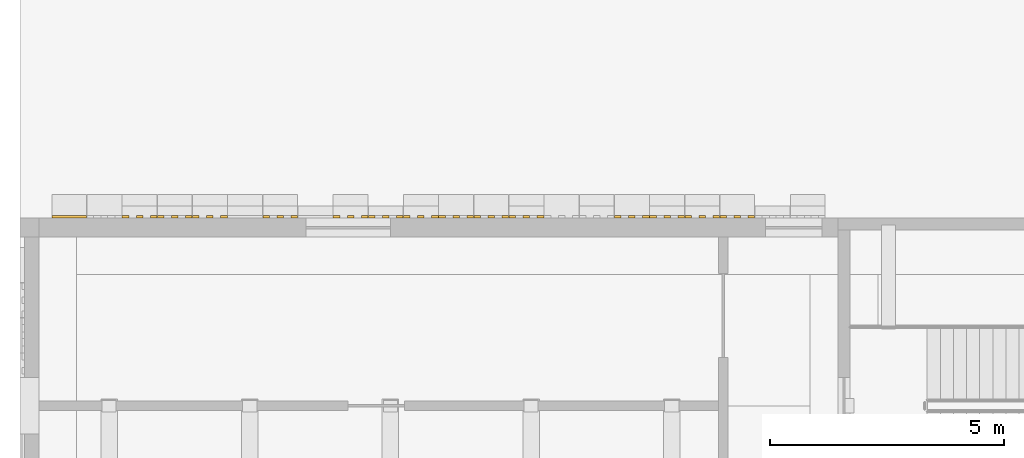
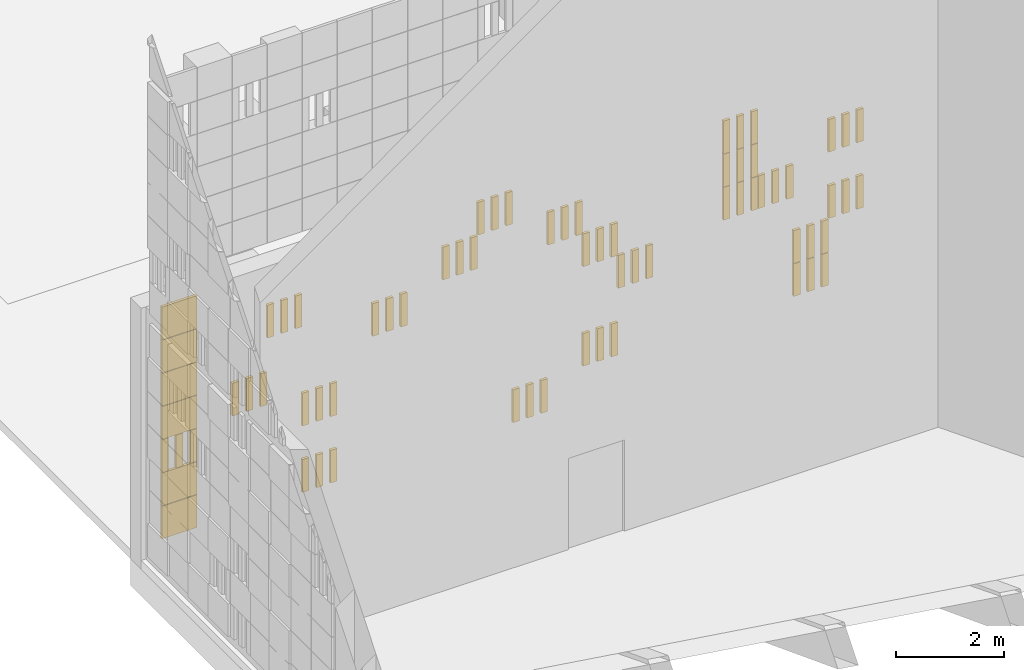
# One storey, part 112 of 125: 1 covering.
"""IFC4 building model written with IfcOpenShell, lengths in metres."""

from ifc_helpers import new_model, si_unit, direction, frame, origin, origin_2d, place, context, subcontext, project, spatial, rectangle, extrude, material, layer, layer_set, type_object, element, save


model = new_model("IFC4")

# Units and contexts
model_context = context("Model", 3, precision=1e-05, world=origin(), true_north=direction((0.0, 1.0)))
body_context = subcontext(model_context, "Body", "Model", "MODEL_VIEW")
ifc_project = project(units=[si_unit("LENGTHUNIT", "METRE"), si_unit("AREAUNIT", "SQUARE_METRE"), si_unit("VOLUMEUNIT", "CUBIC_METRE"), si_unit("PLANEANGLEUNIT", "RADIAN"), si_unit("MASSUNIT", "GRAM", prefix="KILO")], contexts=[model_context])

# Site, building, storey
site_placement = place(None, origin())
site = spatial("IfcSite", under=ifc_project, at=site_placement, CompositionType="ELEMENT")
building_placement = place(site_placement, origin())
building = spatial("IfcBuilding", under=site, at=building_placement, Name="Sun Court Science Centre", CompositionType="ELEMENT")
storey_placement = place(building_placement, origin())
storey = spatial("IfcBuildingStorey", under=building, at=storey_placement, Name="L00", CompositionType="ELEMENT", Elevation=0.0)

# Covering
ifc_material = material(Name="Red sandstone", Category="masonry")
ifc_layer = layer(ifc_material, 0.06005859375)
ifc_layer_set = layer_set([ifc_layer], Name="Red sandstone")
covering_type = type_object("IfcCoveringType", Name="Red sandstone jali relief 750", PredefinedType="CLADDING", material=ifc_layer_set)
covering_placement = place(storey_placement, origin())
element("IfcCovering", 1, at=covering_placement, inside=storey, type_object=covering_type, Name="Red sandstone jali relief theatre-STAGE-north face-L00 L00", PredefinedType="CLADDING", context=body_context, shape_type="SweptSolid", body=[
    extrude(rectangle(XDim=0.139892578125, YDim=0.06005859375, at=origin_2d()), frame((3.75, 72.030029296875, 0.0048828125), z_axis=(0.0, 0.0, 1.0), x_axis=(1.0, 0.0, 0.0)), (0.0, 0.0, 1.0), 0.739990234375),
    extrude(rectangle(XDim=0.139892578125, YDim=0.06005859375, at=origin_2d()), frame((4.050048828125, 72.030029296875, 0.0048828125), z_axis=(0.0, 0.0, 1.0), x_axis=(1.0, 0.0, 0.0)), (0.0, 0.0, 1.0), 0.739990234375),
    extrude(rectangle(XDim=0.139892578125, YDim=0.06005859375, at=origin_2d()), frame((4.35009765625, 72.030029296875, 0.0048828125), z_axis=(0.0, 0.0, 1.0), x_axis=(1.0, 0.0, 0.0)), (0.0, 0.0, 1.0), 0.739990234375),
    extrude(rectangle(XDim=0.139892578125, YDim=0.06005859375, at=origin_2d()), frame((8.25, 72.030029296875, 0.0048828125), z_axis=(0.0, 0.0, 1.0), x_axis=(1.0, 0.0, 0.0)), (0.0, 0.0, 1.0), 0.739990234375),
    extrude(rectangle(XDim=0.139892578125, YDim=0.06005859375, at=origin_2d()), frame((8.550048828125, 72.030029296875, 0.0048828125), z_axis=(0.0, 0.0, 1.0), x_axis=(1.0, 0.0, 0.0)), (0.0, 0.0, 1.0), 0.739990234375),
    extrude(rectangle(XDim=0.139892578125, YDim=0.06005859375, at=origin_2d()), frame((8.85009765625, 72.030029296875, 0.0048828125), z_axis=(0.0, 0.0, 1.0), x_axis=(1.0, 0.0, 0.0)), (0.0, 0.0, 1.0), 0.739990234375),
    extrude(rectangle(XDim=0.139892578125, YDim=0.06005859375, at=origin_2d()), frame((9.75, 72.030029296875, 0.7548828125), z_axis=(0.0, 0.0, 1.0), x_axis=(1.0, 0.0, 0.0)), (0.0, 0.0, 1.0), 0.739990234375),
    extrude(rectangle(XDim=0.139892578125, YDim=0.06005859375, at=origin_2d()), frame((10.050048828125, 72.030029296875, 0.7548828125), z_axis=(0.0, 0.0, 1.0), x_axis=(1.0, 0.0, 0.0)), (0.0, 0.0, 1.0), 0.739990234375),
    extrude(rectangle(XDim=0.139892578125, YDim=0.06005859375, at=origin_2d()), frame((10.35009765625, 72.030029296875, 0.7548828125), z_axis=(0.0, 0.0, 1.0), x_axis=(1.0, 0.0, 0.0)), (0.0, 0.0, 1.0), 0.739990234375),
    extrude(rectangle(XDim=0.139892578125, YDim=0.06005859375, at=origin_2d()), frame((14.25, 72.030029296875, 0.7548828125), z_axis=(0.0, 0.0, 1.0), x_axis=(1.0, 0.0, 0.0)), (0.0, 0.0, 1.0), 0.739990234375),
    extrude(rectangle(XDim=0.139892578125, YDim=0.06005859375, at=origin_2d()), frame((14.550048828125, 72.030029296875, 0.7548828125), z_axis=(0.0, 0.0, 1.0), x_axis=(1.0, 0.0, 0.0)), (0.0, 0.0, 1.0), 0.739990234375),
    extrude(rectangle(XDim=0.139892578125, YDim=0.06005859375, at=origin_2d()), frame((14.85009765625, 72.030029296875, 0.7548828125), z_axis=(0.0, 0.0, 1.0), x_axis=(1.0, 0.0, 0.0)), (0.0, 0.0, 1.0), 0.739990234375),
    extrude(rectangle(XDim=0.139892578125, YDim=0.06005859375, at=origin_2d()), frame((0.75, 72.030029296875, 1.5048828125), z_axis=(0.0, 0.0, 1.0), x_axis=(1.0, 0.0, 0.0)), (0.0, 0.0, 1.0), 0.739990234375),
    extrude(rectangle(XDim=0.139892578125, YDim=0.06005859375, at=origin_2d()), frame((1.050048828125, 72.030029296875, 1.5048828125), z_axis=(0.0, 0.0, 1.0), x_axis=(1.0, 0.0, 0.0)), (0.0, 0.0, 1.0), 0.739990234375),
    extrude(rectangle(XDim=0.139892578125, YDim=0.06005859375, at=origin_2d()), frame((1.35009765625, 72.030029296875, 1.5048828125), z_axis=(0.0, 0.0, 1.0), x_axis=(1.0, 0.0, 0.0)), (0.0, 0.0, 1.0), 0.739990234375),
    extrude(rectangle(XDim=0.139892578125, YDim=0.06005859375, at=origin_2d()), frame((3.75, 72.030029296875, 1.5048828125), z_axis=(0.0, 0.0, 1.0), x_axis=(1.0, 0.0, 0.0)), (0.0, 0.0, 1.0), 0.739990234375),
    extrude(rectangle(XDim=0.139892578125, YDim=0.06005859375, at=origin_2d()), frame((4.050048828125, 72.030029296875, 1.5048828125), z_axis=(0.0, 0.0, 1.0), x_axis=(1.0, 0.0, 0.0)), (0.0, 0.0, 1.0), 0.739990234375),
    extrude(rectangle(XDim=0.139892578125, YDim=0.06005859375, at=origin_2d()), frame((4.35009765625, 72.030029296875, 1.5048828125), z_axis=(0.0, 0.0, 1.0), x_axis=(1.0, 0.0, 0.0)), (0.0, 0.0, 1.0), 0.739990234375),
    extrude(rectangle(XDim=0.139892578125, YDim=0.06005859375, at=origin_2d()), frame((14.25, 72.030029296875, 1.5048828125), z_axis=(0.0, 0.0, 1.0), x_axis=(1.0, 0.0, 0.0)), (0.0, 0.0, 1.0), 0.739990234375),
    extrude(rectangle(XDim=0.139892578125, YDim=0.06005859375, at=origin_2d()), frame((14.550048828125, 72.030029296875, 1.5048828125), z_axis=(0.0, 0.0, 1.0), x_axis=(1.0, 0.0, 0.0)), (0.0, 0.0, 1.0), 0.739990234375),
    extrude(rectangle(XDim=0.139892578125, YDim=0.06005859375, at=origin_2d()), frame((14.85009765625, 72.030029296875, 1.5048828125), z_axis=(0.0, 0.0, 1.0), x_axis=(1.0, 0.0, 0.0)), (0.0, 0.0, 1.0), 0.739990234375),
    extrude(rectangle(XDim=0.139892578125, YDim=0.06005859375, at=origin_2d()), frame((2.25, 72.030029296875, 2.2548828125), z_axis=(0.0, 0.0, 1.0), x_axis=(1.0, 0.0, 0.0)), (0.0, 0.0, 1.0), 0.739990234375),
    extrude(rectangle(XDim=0.139892578125, YDim=0.06005859375, at=origin_2d()), frame((2.550048828125, 72.030029296875, 2.2548828125), z_axis=(0.0, 0.0, 1.0), x_axis=(1.0, 0.0, 0.0)), (0.0, 0.0, 1.0), 0.739990234375),
    extrude(rectangle(XDim=0.139892578125, YDim=0.06005859375, at=origin_2d()), frame((2.85009765625, 72.030029296875, 2.2548828125), z_axis=(0.0, 0.0, 1.0), x_axis=(1.0, 0.0, 0.0)), (0.0, 0.0, 1.0), 0.739990234375),
    extrude(rectangle(XDim=0.139892578125, YDim=0.06005859375, at=origin_2d()), frame((10.5, 72.030029296875, 2.2548828125), z_axis=(0.0, 0.0, 1.0), x_axis=(1.0, 0.0, 0.0)), (0.0, 0.0, 1.0), 0.739990234375),
    extrude(rectangle(XDim=0.139892578125, YDim=0.06005859375, at=origin_2d()), frame((10.800048828125, 72.030029296875, 2.2548828125), z_axis=(0.0, 0.0, 1.0), x_axis=(1.0, 0.0, 0.0)), (0.0, 0.0, 1.0), 0.739990234375),
    extrude(rectangle(XDim=0.139892578125, YDim=0.06005859375, at=origin_2d()), frame((11.10009765625, 72.030029296875, 2.2548828125), z_axis=(0.0, 0.0, 1.0), x_axis=(1.0, 0.0, 0.0)), (0.0, 0.0, 1.0), 0.739990234375),
    extrude(rectangle(XDim=0.139892578125, YDim=0.06005859375, at=origin_2d()), frame((15.0, 72.030029296875, 2.2548828125), z_axis=(0.0, 0.0, 1.0), x_axis=(1.0, 0.0, 0.0)), (0.0, 0.0, 1.0), 0.739990234375),
    extrude(rectangle(XDim=0.139892578125, YDim=0.06005859375, at=origin_2d()), frame((15.300048828125, 72.030029296875, 2.2548828125), z_axis=(0.0, 0.0, 1.0), x_axis=(1.0, 0.0, 0.0)), (0.0, 0.0, 1.0), 0.739990234375),
    extrude(rectangle(XDim=0.139892578125, YDim=0.06005859375, at=origin_2d()), frame((15.60009765625, 72.030029296875, 2.2548828125), z_axis=(0.0, 0.0, 1.0), x_axis=(1.0, 0.0, 0.0)), (0.0, 0.0, 1.0), 0.739990234375),
    extrude(rectangle(XDim=0.139892578125, YDim=0.06005859375, at=origin_2d()), frame((5.25, 72.030029296875, 3.0048828125), z_axis=(0.0, 0.0, 1.0), x_axis=(1.0, 0.0, 0.0)), (0.0, 0.0, 1.0), 0.739990234375),
    extrude(rectangle(XDim=0.139892578125, YDim=0.06005859375, at=origin_2d()), frame((5.550048828125, 72.030029296875, 3.0048828125), z_axis=(0.0, 0.0, 1.0), x_axis=(1.0, 0.0, 0.0)), (0.0, 0.0, 1.0), 0.739990234375),
    extrude(rectangle(XDim=0.139892578125, YDim=0.06005859375, at=origin_2d()), frame((5.85009765625, 72.030029296875, 3.0048828125), z_axis=(0.0, 0.0, 1.0), x_axis=(1.0, 0.0, 0.0)), (0.0, 0.0, 1.0), 0.739990234375),
    extrude(rectangle(XDim=0.139892578125, YDim=0.06005859375, at=origin_2d()), frame((9.75, 72.030029296875, 3.0048828125), z_axis=(0.0, 0.0, 1.0), x_axis=(1.0, 0.0, 0.0)), (0.0, 0.0, 1.0), 0.739990234375),
    extrude(rectangle(XDim=0.139892578125, YDim=0.06005859375, at=origin_2d()), frame((10.050048828125, 72.030029296875, 3.0048828125), z_axis=(0.0, 0.0, 1.0), x_axis=(1.0, 0.0, 0.0)), (0.0, 0.0, 1.0), 0.739990234375),
    extrude(rectangle(XDim=0.139892578125, YDim=0.06005859375, at=origin_2d()), frame((10.35009765625, 72.030029296875, 3.0048828125), z_axis=(0.0, 0.0, 1.0), x_axis=(1.0, 0.0, 0.0)), (0.0, 0.0, 1.0), 0.739990234375),
    extrude(rectangle(XDim=0.139892578125, YDim=0.06005859375, at=origin_2d()), frame((12.75, 72.030029296875, 3.0048828125), z_axis=(0.0, 0.0, 1.0), x_axis=(1.0, 0.0, 0.0)), (0.0, 0.0, 1.0), 0.739990234375),
    extrude(rectangle(XDim=0.139892578125, YDim=0.06005859375, at=origin_2d()), frame((13.050048828125, 72.030029296875, 3.0048828125), z_axis=(0.0, 0.0, 1.0), x_axis=(1.0, 0.0, 0.0)), (0.0, 0.0, 1.0), 0.739990234375),
    extrude(rectangle(XDim=0.139892578125, YDim=0.06005859375, at=origin_2d()), frame((13.35009765625, 72.030029296875, 3.0048828125), z_axis=(0.0, 0.0, 1.0), x_axis=(1.0, 0.0, 0.0)), (0.0, 0.0, 1.0), 0.739990234375),
    extrude(rectangle(XDim=0.139892578125, YDim=0.06005859375, at=origin_2d()), frame((13.5, 72.030029296875, 3.0048828125), z_axis=(0.0, 0.0, 1.0), x_axis=(1.0, 0.0, 0.0)), (0.0, 0.0, 1.0), 0.739990234375),
    extrude(rectangle(XDim=0.139892578125, YDim=0.06005859375, at=origin_2d()), frame((13.800048828125, 72.030029296875, 3.0048828125), z_axis=(0.0, 0.0, 1.0), x_axis=(1.0, 0.0, 0.0)), (0.0, 0.0, 1.0), 0.739990234375),
    extrude(rectangle(XDim=0.139892578125, YDim=0.06005859375, at=origin_2d()), frame((14.10009765625, 72.030029296875, 3.0048828125), z_axis=(0.0, 0.0, 1.0), x_axis=(1.0, 0.0, 0.0)), (0.0, 0.0, 1.0), 0.739990234375),
    extrude(rectangle(XDim=0.139892578125, YDim=0.06005859375, at=origin_2d()), frame((3.0, 72.030029296875, 3.7548828125), z_axis=(0.0, 0.0, 1.0), x_axis=(1.0, 0.0, 0.0)), (0.0, 0.0, 1.0), 0.739990234375),
    extrude(rectangle(XDim=0.139892578125, YDim=0.06005859375, at=origin_2d()), frame((3.300048828125, 72.030029296875, 3.7548828125), z_axis=(0.0, 0.0, 1.0), x_axis=(1.0, 0.0, 0.0)), (0.0, 0.0, 1.0), 0.739990234375),
    extrude(rectangle(XDim=0.139892578125, YDim=0.06005859375, at=origin_2d()), frame((3.60009765625, 72.030029296875, 3.7548828125), z_axis=(0.0, 0.0, 1.0), x_axis=(1.0, 0.0, 0.0)), (0.0, 0.0, 1.0), 0.739990234375),
    extrude(rectangle(XDim=0.139892578125, YDim=0.06005859375, at=origin_2d()), frame((6.75, 72.030029296875, 3.7548828125), z_axis=(0.0, 0.0, 1.0), x_axis=(1.0, 0.0, 0.0)), (0.0, 0.0, 1.0), 0.739990234375),
    extrude(rectangle(XDim=0.139892578125, YDim=0.06005859375, at=origin_2d()), frame((7.050048828125, 72.030029296875, 3.7548828125), z_axis=(0.0, 0.0, 1.0), x_axis=(1.0, 0.0, 0.0)), (0.0, 0.0, 1.0), 0.739990234375),
    extrude(rectangle(XDim=0.139892578125, YDim=0.06005859375, at=origin_2d()), frame((7.35009765625, 72.030029296875, 3.7548828125), z_axis=(0.0, 0.0, 1.0), x_axis=(1.0, 0.0, 0.0)), (0.0, 0.0, 1.0), 0.739990234375),
    extrude(rectangle(XDim=0.139892578125, YDim=0.06005859375, at=origin_2d()), frame((9.0, 72.030029296875, 3.7548828125), z_axis=(0.0, 0.0, 1.0), x_axis=(1.0, 0.0, 0.0)), (0.0, 0.0, 1.0), 0.739990234375),
    extrude(rectangle(XDim=0.139892578125, YDim=0.06005859375, at=origin_2d()), frame((9.300048828125, 72.030029296875, 3.7548828125), z_axis=(0.0, 0.0, 1.0), x_axis=(1.0, 0.0, 0.0)), (0.0, 0.0, 1.0), 0.739990234375),
    extrude(rectangle(XDim=0.139892578125, YDim=0.06005859375, at=origin_2d()), frame((9.60009765625, 72.030029296875, 3.7548828125), z_axis=(0.0, 0.0, 1.0), x_axis=(1.0, 0.0, 0.0)), (0.0, 0.0, 1.0), 0.739990234375),
    extrude(rectangle(XDim=0.139892578125, YDim=0.06005859375, at=origin_2d()), frame((12.75, 72.030029296875, 3.7548828125), z_axis=(0.0, 0.0, 1.0), x_axis=(1.0, 0.0, 0.0)), (0.0, 0.0, 1.0), 0.739990234375),
    extrude(rectangle(XDim=0.139892578125, YDim=0.06005859375, at=origin_2d()), frame((13.050048828125, 72.030029296875, 3.7548828125), z_axis=(0.0, 0.0, 1.0), x_axis=(1.0, 0.0, 0.0)), (0.0, 0.0, 1.0), 0.739990234375),
    extrude(rectangle(XDim=0.139892578125, YDim=0.06005859375, at=origin_2d()), frame((13.35009765625, 72.030029296875, 3.7548828125), z_axis=(0.0, 0.0, 1.0), x_axis=(1.0, 0.0, 0.0)), (0.0, 0.0, 1.0), 0.739990234375),
    extrude(rectangle(XDim=0.139892578125, YDim=0.06005859375, at=origin_2d()), frame((15.0, 72.030029296875, 3.7548828125), z_axis=(0.0, 0.0, 1.0), x_axis=(1.0, 0.0, 0.0)), (0.0, 0.0, 1.0), 0.739990234375),
    extrude(rectangle(XDim=0.139892578125, YDim=0.06005859375, at=origin_2d()), frame((15.300048828125, 72.030029296875, 3.7548828125), z_axis=(0.0, 0.0, 1.0), x_axis=(1.0, 0.0, 0.0)), (0.0, 0.0, 1.0), 0.739990234375),
    extrude(rectangle(XDim=0.139892578125, YDim=0.06005859375, at=origin_2d()), frame((15.60009765625, 72.030029296875, 3.7548828125), z_axis=(0.0, 0.0, 1.0), x_axis=(1.0, 0.0, 0.0)), (0.0, 0.0, 1.0), 0.739990234375),
    extrude(rectangle(XDim=0.139892578125, YDim=0.06005859375, at=origin_2d()), frame((7.5, 72.030029296875, 4.5048828125), z_axis=(0.0, 0.0, 1.0), x_axis=(1.0, 0.0, 0.0)), (0.0, 0.0, 1.0), 0.739990234375),
    extrude(rectangle(XDim=0.139892578125, YDim=0.06005859375, at=origin_2d()), frame((7.800048828125, 72.030029296875, 4.5048828125), z_axis=(0.0, 0.0, 1.0), x_axis=(1.0, 0.0, 0.0)), (0.0, 0.0, 1.0), 0.739990234375),
    extrude(rectangle(XDim=0.139892578125, YDim=0.06005859375, at=origin_2d()), frame((8.10009765625, 72.030029296875, 4.5048828125), z_axis=(0.0, 0.0, 1.0), x_axis=(1.0, 0.0, 0.0)), (0.0, 0.0, 1.0), 0.739990234375),
    extrude(rectangle(XDim=0.139892578125, YDim=0.06005859375, at=origin_2d()), frame((12.75, 72.030029296875, 4.5048828125), z_axis=(0.0, 0.0, 1.0), x_axis=(1.0, 0.0, 0.0)), (0.0, 0.0, 1.0), 0.739990234375),
    extrude(rectangle(XDim=0.139892578125, YDim=0.06005859375, at=origin_2d()), frame((13.050048828125, 72.030029296875, 4.5048828125), z_axis=(0.0, 0.0, 1.0), x_axis=(1.0, 0.0, 0.0)), (0.0, 0.0, 1.0), 0.739990234375),
    extrude(rectangle(XDim=0.139892578125, YDim=0.06005859375, at=origin_2d()), frame((13.35009765625, 72.030029296875, 4.5048828125), z_axis=(0.0, 0.0, 1.0), x_axis=(1.0, 0.0, 0.0)), (0.0, 0.0, 1.0), 0.739990234375),
    extrude(rectangle(XDim=0.739990234375, YDim=0.06005859375, at=origin_2d()), frame((1.050048828125, 72.030029296875, 0.0048828125), z_axis=(0.0, 0.0, 1.0), x_axis=(1.0, 0.0, 0.0)), (0.0, 0.0, 1.0), 0.739990234375),
    extrude(rectangle(XDim=0.739990234375, YDim=0.06005859375, at=origin_2d()), frame((1.050048828125, 72.030029296875, 0.7548828125), z_axis=(0.0, 0.0, 1.0), x_axis=(1.0, 0.0, 0.0)), (0.0, 0.0, 1.0), 0.739990234375),
    extrude(rectangle(XDim=0.739990234375, YDim=0.06005859375, at=origin_2d()), frame((1.050048828125, 72.030029296875, 2.2548828125), z_axis=(0.0, 0.0, 1.0), x_axis=(1.0, 0.0, 0.0)), (0.0, 0.0, 1.0), 0.739990234375),
    extrude(rectangle(XDim=0.739990234375, YDim=0.06005859375, at=origin_2d()), frame((1.050048828125, 72.030029296875, 3.0048828125), z_axis=(0.0, 0.0, 1.0), x_axis=(1.0, 0.0, 0.0)), (0.0, 0.0, 1.0), 0.739990234375),
    extrude(rectangle(XDim=0.739990234375, YDim=0.06005859375, at=origin_2d()), frame((1.050048828125, 72.030029296875, 3.7548828125), z_axis=(0.0, 0.0, 1.0), x_axis=(1.0, 0.0, 0.0)), (0.0, 0.0, 1.0), 0.739990234375),
    extrude(rectangle(XDim=0.739990234375, YDim=0.06005859375, at=origin_2d()), frame((1.050048828125, 72.030029296875, 4.5048828125), z_axis=(0.0, 0.0, 1.0), x_axis=(1.0, 0.0, 0.0)), (0.0, 0.0, 1.0), 0.739990234375),
])

save(model, "model.ifc")
